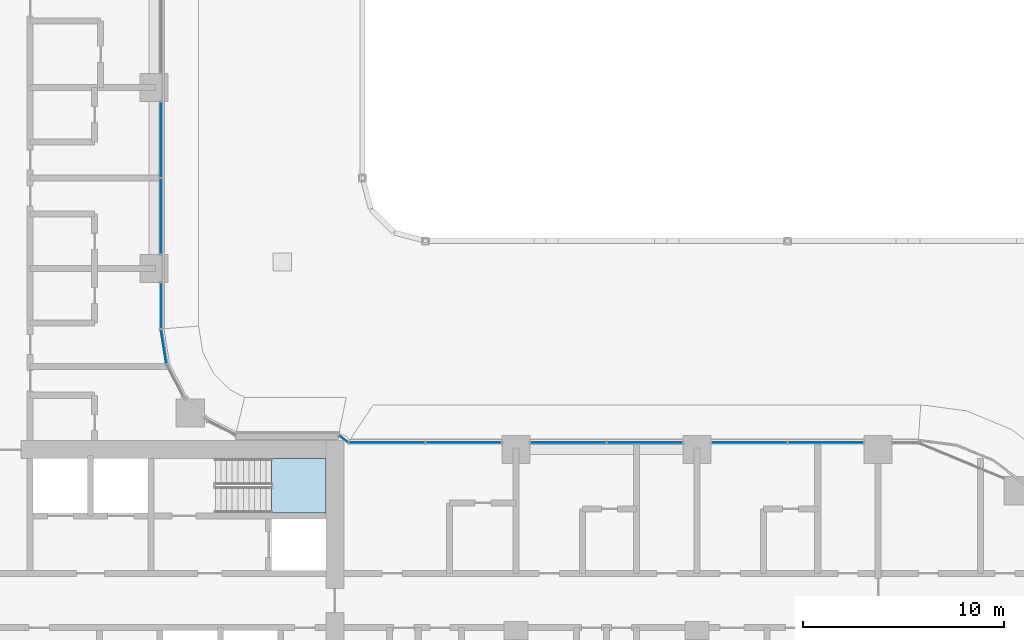
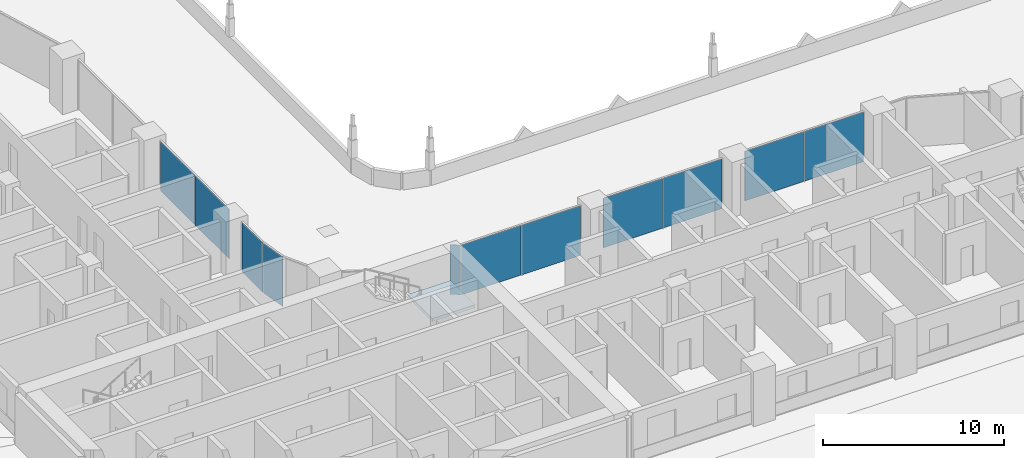
# One storey, part 15 of 51: 11 plates, 1 slab, 8 elements without a shape of their own.
"""IFC4 building model written with IfcOpenShell, lengths in metres."""

from ifc_helpers import new_model, si_unit, direction, frame, origin, origin_2d, place, context, subcontext, project, spatial, polyline, rectangle, outline, extrude, material, layer, layer_set, type_object, element, aggregate, save


model = new_model("IFC4")

# Units and contexts
model_context = context("Model", 3, precision=1e-05, world=origin(), true_north=direction((0.0, 1.0)))
body_context = subcontext(model_context, "Body", "Model", "MODEL_VIEW")
ifc_project = project(units=[si_unit("LENGTHUNIT", "METRE"), si_unit("AREAUNIT", "SQUARE_METRE"), si_unit("VOLUMEUNIT", "CUBIC_METRE"), si_unit("PLANEANGLEUNIT", "RADIAN"), si_unit("MASSUNIT", "GRAM", prefix="KILO")], contexts=[model_context])

# Site, building, storey
site_placement = place(None, origin())
site = spatial("IfcSite", under=ifc_project, at=site_placement, CompositionType="ELEMENT")
building_placement = place(site_placement, origin())
building = spatial("IfcBuilding", under=site, at=building_placement, Name="Ogive Portal Towers", CompositionType="ELEMENT")
storey_placement = place(building_placement, frame((0.0, 0.0, 33.5)))
storey = spatial("IfcBuildingStorey", under=building, at=storey_placement, Name="L06", CompositionType="ELEMENT", Elevation=33.5)

# Curtain wall, plate
ifc_material_1 = material(Name="Glass, clear low-iron insulated glazing", Category="glass")
curtain_wall_type = type_object("IfcCurtainWallType", Name="CW FRONT RIBBON 4500", PredefinedType="NOTDEFINED", material=ifc_material_1)
curtain_wall_1_placement = place(storey_placement, origin())
curtain_wall_1 = element("IfcCurtainWall", 1, at=curtain_wall_1_placement, inside=storey, type_object=curtain_wall_type, Name="A:L06:f06:cw0~0", PredefinedType="NOTDEFINED")
ifc_layer_1 = layer(ifc_material_1, 0.028076171875)
ifc_layer_set_1 = layer_set([ifc_layer_1], Name="CW PANEL IGU 28")
plate_type = type_object("IfcPlateType", Name="CW PANEL IGU 28", PredefinedType="CURTAIN_PANEL", material=ifc_layer_set_1)
plate_1_placement = place(storey_placement, frame((49.844970703125, 46.64697265625, 0.0), z_axis=(0.0, 0.0, 1.0), x_axis=(0.0, 1.0, 0.0)))
plate_1 = element("IfcPlate", 2, at=plate_1_placement, type_object=plate_type, Name="panel", PredefinedType="CURTAIN_PANEL", context=body_context, shape_type="SweptSolid", body=[
    extrude(rectangle(XDim=2.246337890625, YDim=0.028076171875, at=origin_2d()), origin(), (0.0, 0.0, 1.0), 3.340087890625),
])
aggregate(curtain_wall_1, [plate_1])

# Curtain wall, plates
curtain_wall_2_placement = place(storey_placement, origin())
curtain_wall_2 = element("IfcCurtainWall", 3, at=curtain_wall_2_placement, inside=storey, type_object=curtain_wall_type, Name="A:L06:f06:cw0~1", PredefinedType="NOTDEFINED")
plate_2_placement = place(storey_placement, frame((49.844970703125, 51.10009765625, 0.0), z_axis=(0.0, 0.0, 1.0), x_axis=(0.0, 1.0, 0.0)))
plate_2 = element("IfcPlate", 4, at=plate_2_placement, type_object=plate_type, Name="panel", PredefinedType="CURTAIN_PANEL", context=body_context, shape_type="SweptSolid", body=[
    extrude(rectangle(XDim=3.739990234375, YDim=0.028076171875, at=origin_2d()), origin(), (0.0, 0.0, 1.0), 3.340087890625),
])
plate_3_placement = place(storey_placement, frame((49.844970703125, 54.89990234375, 0.0), z_axis=(0.0, 0.0, 1.0), x_axis=(0.0, 1.0, 0.0)))
plate_3 = element("IfcPlate", 5, at=plate_3_placement, type_object=plate_type, Name="panel", PredefinedType="CURTAIN_PANEL", context=body_context, shape_type="SweptSolid", body=[
    extrude(rectangle(XDim=3.739990234375, YDim=0.028076171875, at=origin_2d()), origin(), (0.0, 0.0, 1.0), 3.340087890625),
])
aggregate(curtain_wall_2, [plate_2, plate_3])

curtain_wall_3_placement = place(storey_placement, origin())
curtain_wall_3 = element("IfcCurtainWall", 6, at=curtain_wall_3_placement, inside=storey, type_object=curtain_wall_type, Name="A:L06:f27:cw0~1", PredefinedType="NOTDEFINED")
plate_4_placement = place(storey_placement, frame((82.89990234375, 39.844970703125, 0.0), z_axis=(0.0, 0.0, 1.0), x_axis=(-1.0, 0.0, 0.0)))
plate_4 = element("IfcPlate", 7, at=plate_4_placement, type_object=plate_type, Name="panel", PredefinedType="CURTAIN_PANEL", context=body_context, shape_type="SweptSolid", body=[
    extrude(rectangle(XDim=3.739990234375, YDim=0.028076171875, at=origin_2d()), origin(), (0.0, 0.0, 1.0), 3.340087890625),
])
plate_5_placement = place(storey_placement, frame((79.10009765625, 39.844970703125, 0.0), z_axis=(0.0, 0.0, 1.0), x_axis=(-1.0, 0.0, 0.0)))
plate_5 = element("IfcPlate", 8, at=plate_5_placement, type_object=plate_type, Name="panel", PredefinedType="CURTAIN_PANEL", context=body_context, shape_type="SweptSolid", body=[
    extrude(rectangle(XDim=3.739990234375, YDim=0.028076171875, at=origin_2d()), origin(), (0.0, 0.0, 1.0), 3.340087890625),
])
aggregate(curtain_wall_3, [plate_4, plate_5])

curtain_wall_4_placement = place(storey_placement, origin())
curtain_wall_4 = element("IfcCurtainWall", 9, at=curtain_wall_4_placement, inside=storey, type_object=curtain_wall_type, Name="A:L06:f27:cw0~2", PredefinedType="NOTDEFINED")
plate_6_placement = place(storey_placement, frame((73.89990234375, 39.844970703125, 0.0), z_axis=(0.0, 0.0, 1.0), x_axis=(-1.0, 0.0, 0.0)))
plate_6 = element("IfcPlate", 10, at=plate_6_placement, type_object=plate_type, Name="panel", PredefinedType="CURTAIN_PANEL", context=body_context, shape_type="SweptSolid", body=[
    extrude(rectangle(XDim=3.739990234375, YDim=0.028076171875, at=origin_2d()), origin(), (0.0, 0.0, 1.0), 3.340087890625),
])
plate_7_placement = place(storey_placement, frame((70.10009765625, 39.844970703125, 0.0), z_axis=(0.0, 0.0, 1.0), x_axis=(-1.0, 0.0, 0.0)))
plate_7 = element("IfcPlate", 11, at=plate_7_placement, type_object=plate_type, Name="panel", PredefinedType="CURTAIN_PANEL", context=body_context, shape_type="SweptSolid", body=[
    extrude(rectangle(XDim=3.739990234375, YDim=0.028076171875, at=origin_2d()), origin(), (0.0, 0.0, 1.0), 3.340087890625),
])
aggregate(curtain_wall_4, [plate_6, plate_7])

curtain_wall_5_placement = place(storey_placement, origin())
curtain_wall_5 = element("IfcCurtainWall", 12, at=curtain_wall_5_placement, inside=storey, type_object=curtain_wall_type, Name="A:L06:f27:cw0~3", PredefinedType="NOTDEFINED")
plate_8_placement = place(storey_placement, frame((64.89990234375, 39.844970703125, 0.0), z_axis=(0.0, 0.0, 1.0), x_axis=(-1.0, 0.0, 0.0)))
plate_8 = element("IfcPlate", 13, at=plate_8_placement, type_object=plate_type, Name="panel", PredefinedType="CURTAIN_PANEL", context=body_context, shape_type="SweptSolid", body=[
    extrude(rectangle(XDim=3.739990234375, YDim=0.028076171875, at=origin_2d()), origin(), (0.0, 0.0, 1.0), 3.340087890625),
])
plate_9_placement = place(storey_placement, frame((61.09033203125, 39.844970703125, 0.0), z_axis=(0.0, 0.0, 1.0), x_axis=(-1.0, 0.0, 0.0)))
plate_9 = element("IfcPlate", 14, at=plate_9_placement, type_object=plate_type, Name="panel", PredefinedType="CURTAIN_PANEL", context=body_context, shape_type="SweptSolid", body=[
    extrude(rectangle(XDim=3.759521484375, YDim=0.028076171875, at=origin_2d()), origin(), (0.0, 0.0, 1.0), 3.340087890625),
])
aggregate(curtain_wall_5, [plate_8, plate_9])

# Curtain wall, plate
curtain_wall_6_placement = place(storey_placement, origin())
curtain_wall_6 = element("IfcCurtainWall", 15, at=curtain_wall_6_placement, inside=storey, type_object=curtain_wall_type, Name="A:L06:f00:cwa", PredefinedType="NOTDEFINED")
plate_10_placement = place(storey_placement, frame((58.927001953125, 40.032470703125, 0.0), z_axis=(0.0, 0.0, 1.0), x_axis=(-0.803867261991, 0.594808729844, 0.0)))
plate_10 = element("IfcPlate", 16, at=plate_10_placement, type_object=plate_type, Name="panel", PredefinedType="CURTAIN_PANEL", context=body_context, shape_type="SweptSolid", body=[
    extrude(rectangle(XDim=0.570556640625, YDim=0.028076171875, at=origin_2d()), origin(), (0.0, 0.0, 1.0), 3.340087890625),
])
aggregate(curtain_wall_6, [plate_10])

curtain_wall_7_placement = place(storey_placement, origin())
curtain_wall_7 = element("IfcCurtainWall", 17, at=curtain_wall_7_placement, inside=storey, type_object=curtain_wall_type, Name="A:L06:f02:cwa~1", PredefinedType="NOTDEFINED")
plate_11_placement = place(storey_placement, frame((49.98291015625, 44.623046875, 0.0), z_axis=(0.0, 0.0, 1.0), x_axis=(-0.15643446504, 0.987688340595, 0.0)))
plate_11 = element("IfcPlate", 18, at=plate_11_placement, type_object=plate_type, Name="panel", PredefinedType="CURTAIN_PANEL", context=body_context, shape_type="SweptSolid", body=[
    extrude(rectangle(XDim=1.703125, YDim=0.028076171875, at=origin_2d()), origin(), (0.0, 0.0, 1.0), 3.340087890625),
])
aggregate(curtain_wall_7, [plate_11])

# Stair, slab
ifc_material_2 = material(Name="Concrete C40/50", Category="concrete")
stair_type = type_object("IfcStairType", Name="INT-STAIR", PredefinedType="HALF_TURN_STAIR", material=ifc_material_2)
stair_placement = place(storey_placement, origin())
stair = element("IfcStair", 19, at=stair_placement, inside=storey, type_object=stair_type, Name="L06 Exit Stair ST-A2", PredefinedType="HALF_TURN_STAIR")
ifc_layer_2 = layer(ifc_material_2, 0.199951171875)
ifc_layer_set_2 = layer_set([ifc_layer_2], Name="INT-LANDING")
slab_type = type_object("IfcSlabType", Name="INT-LANDING", PredefinedType="LANDING", material=ifc_layer_set_2)
slab_placement = place(storey_placement, frame((0.0, 0.0, 1.64990234375)))
slab = element("IfcSlab", 20, at=slab_placement, type_object=slab_type, Name="ST-A2 landing 1", PredefinedType="LANDING", context=body_context, shape_type="SweptSolid", body=[
    extrude(outline(polyline([(55.35009765625, 36.35009765625), (58.050048828125, 36.35009765625), (58.050048828125, 39.050048828125), (55.35009765625, 39.050048828125), (55.35009765625, 36.35009765625)])), origin(), (0.0, 0.0, 1.0), 0.2001953125),
])
aggregate(stair, [slab])

save(model, "model.ifc")
